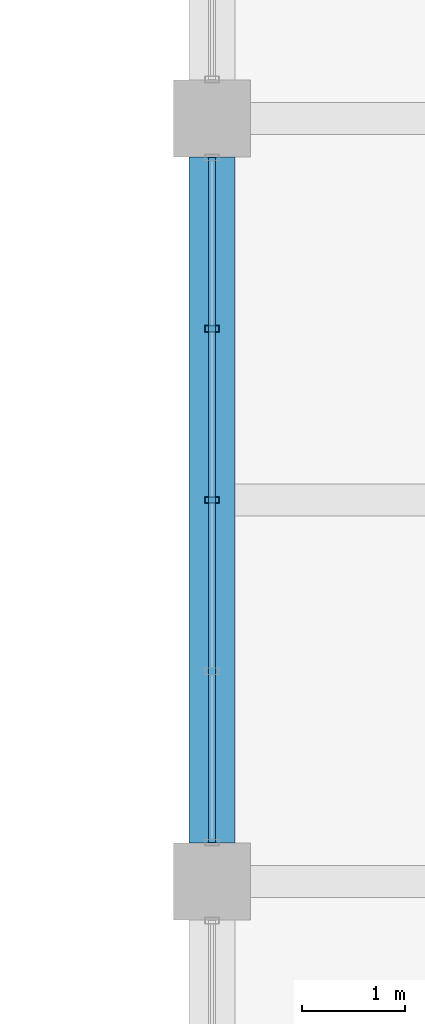
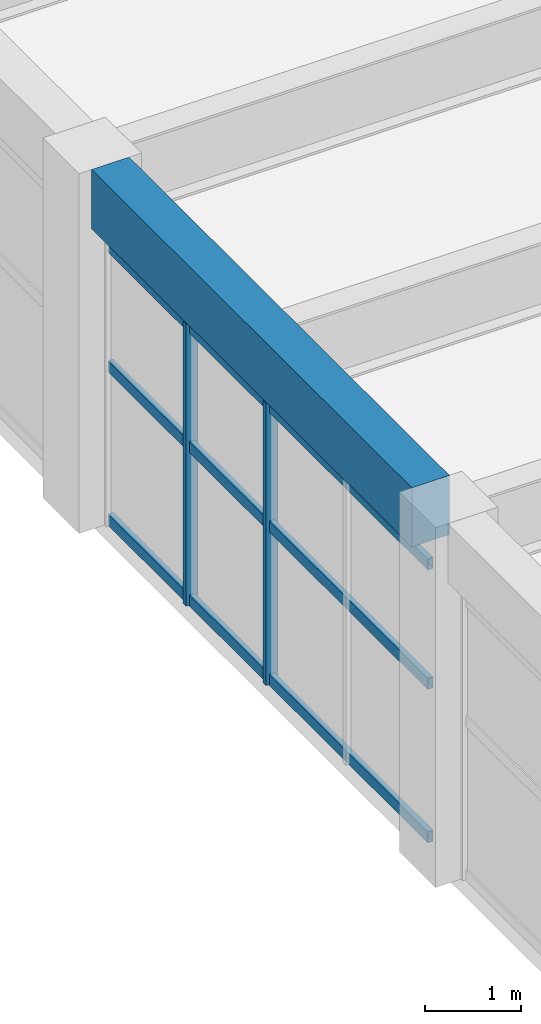
# One storey, part 88 of 161: 5 members, 1 beam, 1 element without a shape of its own.
"""IFC4 building model written with IfcOpenShell, lengths in metres."""

import ifcopenshell
import ifcopenshell.guid

model = None  # the IFC model being written
_history = None  # IfcOwnerHistory: only IFC2X3 demands one
_inside = {}  # id of a spatial element -> (the spatial element, [elements in it])
_under = {}  # id of a project, library or spatial element -> (it, [spatial elements below it])
_declared = {}  # id of a project -> (the project, [libraries it declares])
_typed = {}  # id of a type object -> (the type object, [elements of that type])
_made_of = {}  # id of a material, layer set ... -> (it, [elements and type objects made of it])


def new_model(schema):
    """Start an empty IFC model of exactly this schema.

    Asked for "IFC4X3", IfcOpenShell would pick the latest addendum, in which some entities
    have other attributes; the version numbers below select the first issue.
    IFC2X3 requires an IfcOwnerHistory on every rooted entity: one is made here for all.
    """
    global model, _history
    if schema == "IFC4X3":
        model = ifcopenshell.file(schema_version=(4, 3, 0, 0))
    else:
        model = ifcopenshell.file(schema=schema)
    _inside.clear()
    _under.clear()
    _declared.clear()
    _typed.clear()
    _made_of.clear()
    _history = None
    if model.schema == "IFC2X3":
        org = make("IfcOrganization", Name="unknown")
        user = make(
            "IfcPersonAndOrganization",
            ThePerson=make("IfcPerson", FamilyName="unknown"),
            TheOrganization=org,
        )
        app = make(
            "IfcApplication",
            ApplicationDeveloper=org,
            Version="unknown",
            ApplicationFullName="unknown",
            ApplicationIdentifier="unknown",
        )
        _history = make(
            "IfcOwnerHistory",
            OwningUser=user,
            OwningApplication=app,
            ChangeAction="ADDED",
            CreationDate=0,
        )
    return model


def make(cls, **values):
    """One entity of the class cls with the attributes given. An attribute that is None is left unset."""
    return model.create_entity(
        cls, **{name: value for name, value in values.items() if value is not None}
    )


def rooted(cls, **values):
    """An entity with a GlobalId (a new one), such as an element, a storey or a relation."""
    return make(cls, GlobalId=ifcopenshell.guid.new(), OwnerHistory=_history, **values)


def si_unit(unit_type, name, prefix=None):
    """IfcSIUnit, for example si_unit("LENGTHUNIT", "METRE", prefix="MILLI")."""
    return make("IfcSIUnit", UnitType=unit_type, Prefix=prefix, Name=name)


def assignment(units):
    """IfcUnitAssignment: the units of a project."""
    return None if units is None else make("IfcUnitAssignment", Units=units)


def point(xyz):
    """IfcCartesianPoint."""
    return None if xyz is None else make("IfcCartesianPoint", Coordinates=xyz)


def direction(xyz):
    """IfcDirection."""
    return None if xyz is None else make("IfcDirection", DirectionRatios=xyz)


def frame(location, z_axis=None, x_axis=None):
    """IfcAxis2Placement3D, a coordinate frame: its origin and axes. An axis left out is left unset."""
    return make(
        "IfcAxis2Placement3D",
        Location=point(location),
        Axis=direction(z_axis),
        RefDirection=direction(x_axis),
    )


def frame_2d(location, x_axis=None):
    """IfcAxis2Placement2D, a coordinate frame in the plane: its origin and x axis."""
    return make(
        "IfcAxis2Placement2D", Location=point(location), RefDirection=direction(x_axis)
    )


def origin():
    """The frame at (0, 0, 0) with its axes left unset."""
    return frame((0.0, 0.0, 0.0))


def origin_2d():
    """The frame at (0, 0) in the plane with its x axis left unset."""
    return frame_2d((0.0, 0.0))


def place(relative_to, where):
    """IfcLocalPlacement: puts the frame where relative to a parent placement (None: the world)."""
    return make(
        "IfcLocalPlacement", PlacementRelTo=relative_to, RelativePlacement=where
    )


def context(
    kind, dimensions, precision=None, world=None, true_north=None, identifier=None
):
    """IfcGeometricRepresentationContext, for example the 3D "Model" context."""
    return make(
        "IfcGeometricRepresentationContext",
        ContextIdentifier=identifier,
        ContextType=kind,
        CoordinateSpaceDimension=dimensions,
        Precision=precision,
        WorldCoordinateSystem=world,
        TrueNorth=true_north,
    )


def subcontext(parent, identifier, kind, view, scale=None):
    """IfcGeometricRepresentationSubContext, for example "Body" below "Model"."""
    return make(
        "IfcGeometricRepresentationSubContext",
        ContextIdentifier=identifier,
        ContextType=kind,
        ParentContext=parent,
        TargetScale=scale,
        TargetView=view,
    )


def project(units=None, contexts=None):
    """IfcProject with its units and contexts."""
    return rooted(
        "IfcProject",
        Name="project",
        RepresentationContexts=contexts,
        UnitsInContext=assignment(units),
    )


def spatial(cls, under=None, at=None, **own):
    """A site, building, storey or space (cls), placed at a placement, below another one or the project."""
    s = rooted(cls, ObjectPlacement=at, **own)
    if under is not None:
        _under.setdefault(under.id(), (under, []))[1].append(s)
    return s


def profile(cls, at=None, kind="AREA", **sizes):
    """A parametric profile (cls). Its sizes go by their IFC names, for example OverallWidth=200.0."""
    return make(cls, ProfileType=kind, Position=at, **sizes)


def rectangle(**sizes):
    """IfcRectangleProfileDef."""
    return profile("IfcRectangleProfileDef", **sizes)


def hollow_rectangle(**sizes):
    """IfcRectangleHollowProfileDef."""
    return profile("IfcRectangleHollowProfileDef", **sizes)


def extrude(swept, where, along, depth):
    """IfcExtrudedAreaSolid: the profile swept, set in the frame where, extruded along a direction by depth."""
    return make(
        "IfcExtrudedAreaSolid",
        SweptArea=swept,
        Position=where,
        ExtrudedDirection=direction(along),
        Depth=depth,
    )


def shape(context_of_items, identifier, shape_type, items):
    """IfcShapeRepresentation: the items that make up one representation, for example the "Body"."""
    return make(
        "IfcShapeRepresentation",
        ContextOfItems=context_of_items,
        RepresentationIdentifier=identifier,
        RepresentationType=shape_type,
        Items=items,
    )


def material(Name=None, Category=None):
    """IfcMaterial."""
    return make("IfcMaterial", Name=Name, Category=Category)


def material_profile(
    of_material, cross_section, Name=None, Category=None, Priority=None
):
    """IfcMaterialProfile: a cross section and its material."""
    return make(
        "IfcMaterialProfile",
        Name=Name,
        Material=of_material,
        Profile=cross_section,
        Priority=Priority,
        Category=Category,
    )


def profile_set(profiles, Name=None, composite=None):
    """IfcMaterialProfileSet."""
    return make(
        "IfcMaterialProfileSet",
        Name=Name,
        MaterialProfiles=profiles,
        CompositeProfile=composite,
    )


def made_of(thing, what):
    """Note that an element or type object is made of a material, layer set ...; save() writes the relation."""
    if what is not None:
        _made_of.setdefault(what.id(), (what, []))[1].append(thing)
    return thing


def type_object(cls, material=None, **own):
    """A type object (cls), such as IfcWallType, which elements share."""
    return made_of(rooted(cls, **own), material)


def element(
    cls,
    number,
    at=None,
    inside=None,
    cuts=None,
    type_object=None,
    material=None,
    context=None,
    identifier="Body",
    shape_type=None,
    held_by="IfcProductDefinitionShape",
    body=None,
    shapes=None,
    **own,
):
    """One element of the class cls, such as IfcWall. Its Tag is "e" and its number.

    at: its placement. inside: the storey or other place that contains it. cuts: it is an
    opening in that element (IfcRelVoidsElement). A single representation is given by context,
    identifier, shape_type and body (its items); several are given by shapes. held_by: the class
    of the entity that holds the representations. save() writes the other relations.
    """
    e = rooted(cls, Tag="e%d" % number, ObjectPlacement=at, **own)
    if body is not None:
        shapes = [shape(context, identifier, shape_type, body)]
    if shapes is not None:
        e.Representation = make(held_by, Representations=shapes)
    if inside is not None:
        _inside.setdefault(inside.id(), (inside, []))[1].append(e)
    if cuts is not None:
        rooted(
            "IfcRelVoidsElement", RelatingBuildingElement=cuts, RelatedOpeningElement=e
        )
    if type_object is not None:
        _typed.setdefault(type_object.id(), (type_object, []))[1].append(e)
    return made_of(e, material)


def aggregate(whole, parts):
    """IfcRelAggregates: a whole, such as a stair, and the parts it consists of."""
    return rooted("IfcRelAggregates", RelatingObject=whole, RelatedObjects=parts)


def save(model, path):
    """Write the relations noted so far, then the file.

    IfcRelAggregates (storeys below a building ...), IfcRelContainedInSpatialStructure (elements
    in a storey), IfcRelDefinesByType, IfcRelAssociatesMaterial and IfcRelDeclares: one each for
    every whole, place, type object, material and project.
    """
    for whole, parts in _under.values():
        aggregate(whole, parts)
    for where, things in _inside.values():
        rooted(
            "IfcRelContainedInSpatialStructure",
            RelatedElements=things,
            RelatingStructure=where,
        )
    for kind, things in _typed.values():
        rooted("IfcRelDefinesByType", RelatedObjects=things, RelatingType=kind)
    for what, things in _made_of.values():
        rooted("IfcRelAssociatesMaterial", RelatedObjects=things, RelatingMaterial=what)
    for by, libraries in _declared.values():
        rooted("IfcRelDeclares", RelatingContext=by, RelatedDefinitions=libraries)
    model.write(path)


model = new_model("IFC4")

# Units and contexts
model_context = context("Model", 3, precision=1e-05, world=origin(), true_north=direction((0.0, 1.0)))
body_context = subcontext(model_context, "Body", "Model", "MODEL_VIEW")
ifc_project = project(units=[si_unit("LENGTHUNIT", "METRE"), si_unit("AREAUNIT", "SQUARE_METRE"), si_unit("VOLUMEUNIT", "CUBIC_METRE"), si_unit("PLANEANGLEUNIT", "RADIAN"), si_unit("MASSUNIT", "GRAM", prefix="KILO")], contexts=[model_context])

# Site, building, storey
site_placement = place(None, origin())
site = spatial("IfcSite", under=ifc_project, at=site_placement, CompositionType="ELEMENT")
building_placement = place(site_placement, origin())
building = spatial("IfcBuilding", under=site, at=building_placement, Name="Cimatlan Art Gallery", CompositionType="ELEMENT")
storey_placement = place(building_placement, frame((0.0, 0.0, 5.39990234375)))
storey = spatial("IfcBuildingStorey", under=building, at=storey_placement, Name="L01", CompositionType="ELEMENT", Elevation=5.39990234375)

# Beam
ifc_material_1 = material(Name="Concrete C40/50", Category="concrete")
ifc_material_profile_1 = material_profile(ifc_material_1, rectangle(XDim=0.449951171875, YDim=0.75, at=origin_2d()), Name="RC450X750")
ifc_profile_set_1 = profile_set([ifc_material_profile_1], Name="Concrete C40/50")
beam_type = type_object("IfcBeamType", Name="BM-RC-450X750", PredefinedType="BEAM", material=ifc_profile_set_1)
beam_placement = place(storey_placement, frame((74.89990234375, 90.875, 4.18505859375), z_axis=(0.0, 1.0, 0.0), x_axis=(-1.0, 0.0, 0.0)))
element("IfcBeam", 1, at=beam_placement, inside=storey, type_object=beam_type, Name="BM-Y-L01-09-12", PredefinedType="BEAM", context=body_context, shape_type="SweptSolid", body=[
    extrude(rectangle(XDim=0.449951171875, YDim=0.75, at=origin_2d()), origin(), (0.0, 0.0, 1.0), 6.64990234375),
])

# Curtain wall, members
ifc_material_2 = material(Name="Anodised bronze unitised curtain wall")
curtain_wall_type = type_object("IfcCurtainWallType", Name="CW-V-06642X03577-B4", PredefinedType="NOTDEFINED", material=ifc_material_2)
curtain_wall_placement = place(storey_placement, origin())
curtain_wall = element("IfcCurtainWall", 2, at=curtain_wall_placement, inside=storey, type_object=curtain_wall_type, Name="CW-L01-09-12-W", PredefinedType="NOTDEFINED")
ifc_material_3 = material(Name="Anodised bronze aluminium 6063-T6", Category="aluminium")
ifc_material_profile_2 = material_profile(ifc_material_3, hollow_rectangle(XDim=0.06494140625, YDim=0.139892578125, WallThickness=0.00390625, at=origin_2d()), Name="ALU65X140X4")
ifc_profile_set_2 = profile_set([ifc_material_profile_2], Name="Anodised bronze aluminium 6063-T6")
member_type_1 = type_object("IfcMemberType", Name="CW-MUL-140", PredefinedType="MULLION", material=ifc_profile_set_2)
member_1_placement = place(storey_placement, frame((74.89990234375, 94.199951171875, 0.0), z_axis=(0.0, 0.0, 1.0), x_axis=(0.0, 1.0, 0.0)))
member_1 = element("IfcMember", 3, at=member_1_placement, type_object=member_type_1, Name="CW-L01-09-12-W-M3", PredefinedType="MULLION", context=body_context, shape_type="SweptSolid", body=[
    extrude(hollow_rectangle(XDim=0.06494140625, YDim=0.139892578125, WallThickness=0.00390625, at=origin_2d()), origin(), (0.0, 0.0, 1.0), 3.5771484375),
])
member_2_placement = place(storey_placement, frame((74.89990234375, 95.860595703125, 0.0), z_axis=(0.0, 0.0, 1.0), x_axis=(0.0, 1.0, 0.0)))
member_2 = element("IfcMember", 4, at=member_2_placement, type_object=member_type_1, Name="CW-L01-09-12-W-M4", PredefinedType="MULLION", context=body_context, shape_type="SweptSolid", body=[
    extrude(hollow_rectangle(XDim=0.06494140625, YDim=0.139892578125, WallThickness=0.00390625, at=origin_2d()), origin(), (0.0, 0.0, 1.0), 3.5771484375),
])
ifc_material_profile_3 = material_profile(ifc_material_3, hollow_rectangle(XDim=0.06494140625, YDim=0.139892578125, WallThickness=0.00390625, at=origin_2d()), Name="ALU65X140X4")
ifc_profile_set_3 = profile_set([ifc_material_profile_3], Name="Anodised bronze aluminium 6063-T6")
member_type_2 = type_object("IfcMemberType", Name="CW-TRN-140", PredefinedType="USERDEFINED", material=ifc_profile_set_3)
member_3_placement = place(storey_placement, frame((74.89990234375, 90.87890625, 0.06005859375), z_axis=(0.0, 1.0, 0.0), x_axis=(-1.0, 0.0, 0.0)))
member_3 = element("IfcMember", 5, at=member_3_placement, type_object=member_type_2, Name="CW-L01-09-12-W-T1", ObjectType="TRANSOM", PredefinedType="USERDEFINED", context=body_context, shape_type="SweptSolid", body=[
    extrude(hollow_rectangle(XDim=0.06494140625, YDim=0.139892578125, WallThickness=0.00390625, at=origin_2d()), origin(), (0.0, 0.0, 1.0), 6.64208984375),
])
member_4_placement = place(storey_placement, frame((74.89990234375, 90.87890625, 2.003173828125), z_axis=(0.0, 1.0, 0.0), x_axis=(-1.0, 0.0, 0.0)))
member_4 = element("IfcMember", 6, at=member_4_placement, type_object=member_type_2, Name="CW-L01-09-12-W-T2", ObjectType="TRANSOM", PredefinedType="USERDEFINED", context=body_context, shape_type="SweptSolid", body=[
    extrude(hollow_rectangle(XDim=0.06494140625, YDim=0.139892578125, WallThickness=0.00390625, at=origin_2d()), origin(), (0.0, 0.0, 1.0), 6.64208984375),
])
member_5_placement = place(storey_placement, frame((74.89990234375, 90.87890625, 3.51708984375), z_axis=(0.0, 1.0, 0.0), x_axis=(-1.0, 0.0, 0.0)))
member_5 = element("IfcMember", 7, at=member_5_placement, type_object=member_type_2, Name="CW-L01-09-12-W-T3", ObjectType="TRANSOM", PredefinedType="USERDEFINED", context=body_context, shape_type="SweptSolid", body=[
    extrude(hollow_rectangle(XDim=0.06494140625, YDim=0.139892578125, WallThickness=0.00390625, at=origin_2d()), origin(), (0.0, 0.0, 1.0), 6.64208984375),
])
aggregate(curtain_wall, [member_1, member_2, member_3, member_4, member_5])

save(model, "model.ifc")
